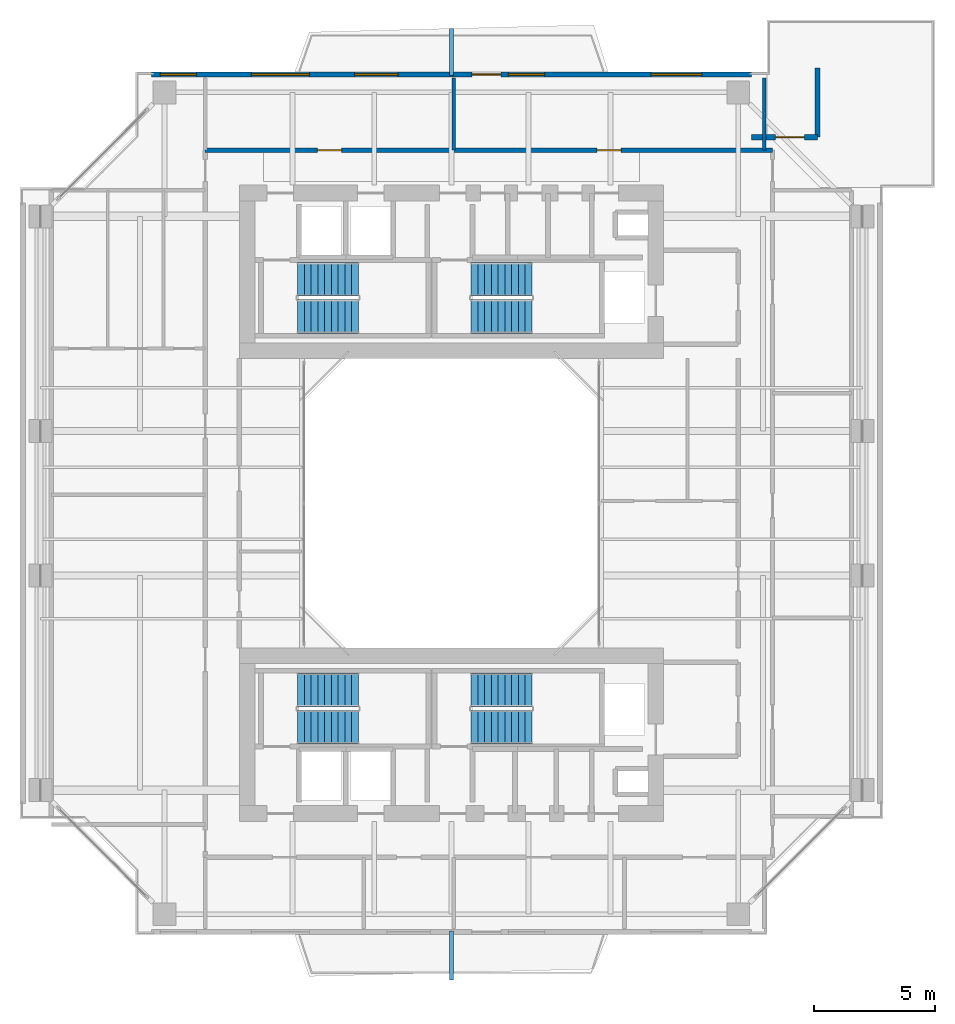
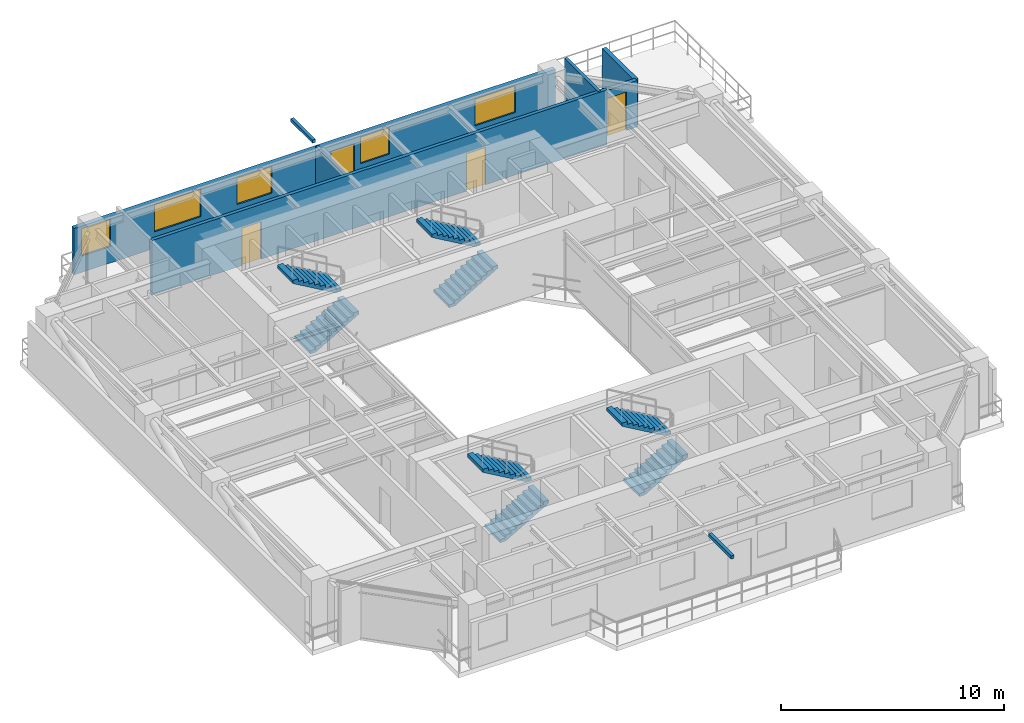
# One storey, part 11 of 14: 8 stair flights, 6 walls, 5 windows, 4 doors, 2 discrete accessories, 9 openings, 4 elements without a shape of their own.
"""IFC4 building model written with IfcOpenShell, lengths in metres."""

from ifc_helpers import new_model, si_unit, direction, frame, frame_2d, origin, origin_2d, place, context, subcontext, project, spatial, polyline, rectangle, outline, extrude, source, transform, mapped, material, layer, layer_set, type_object, element, fill, aggregate, save


model = new_model("IFC4")

# Units and contexts
model_context = context("Model", 3, precision=1e-05, world=origin(), true_north=direction((0.0, 1.0)))
body_context = subcontext(model_context, "Body", "Model", "MODEL_VIEW")
ifc_project = project(units=[si_unit("LENGTHUNIT", "METRE"), si_unit("AREAUNIT", "SQUARE_METRE"), si_unit("VOLUMEUNIT", "CUBIC_METRE"), si_unit("PLANEANGLEUNIT", "RADIAN"), si_unit("MASSUNIT", "GRAM", prefix="KILO"), si_unit("THERMODYNAMICTEMPERATUREUNIT", "KELVIN"), si_unit("POWERUNIT", "WATT")], contexts=[model_context])

# Site, building, storey
site_placement = place(None, origin())
site = spatial("IfcSite", under=ifc_project, at=site_placement, CompositionType="ELEMENT")
building_placement = place(site_placement, origin())
building = spatial("IfcBuilding", under=site, at=building_placement, Name="Qiaomeng Ring Towers", CompositionType="ELEMENT")
storey_placement = place(building_placement, frame((0.0, 0.0, 173.0)))
storey = spatial("IfcBuildingStorey", under=building, at=storey_placement, Name="L50", CompositionType="ELEMENT", Elevation=173.0)

# Wall, openings, windows, door
ifc_material_1 = material(Name="Precast concrete C40", Category="concrete")
ifc_layer_1 = layer(ifc_material_1, 0.219970703125, Name="Precast concrete C40")
ifc_layer_set_1 = layer_set([ifc_layer_1], Name="Precast concrete C40")
wall_type_1 = type_object("IfcWallType", Name="ARC-WL-EW2", PredefinedType="STANDARD", material=ifc_layer_set_1)
wall_1_placement = place(storey_placement, frame((6.550048828125, 40.7900390625, 0.0), z_axis=(0.0, 0.0, 1.0), x_axis=(1.0, 0.0, 0.0)))
wall_1 = element("IfcWall", 1, at=wall_1_placement, inside=storey, type_object=wall_type_1, Name="L50 Tower 1 N Exterior Wall", PredefinedType="STANDARD", context=body_context, shape_type="SweptSolid", body=[
    extrude(rectangle(XDim=24.89990234375, YDim=0.219970703125, at=frame_2d((12.449951171875, 0.0))), origin(), (0.0, 0.0, 1.0), 2.5400390625),
])
opening_1_placement = place(wall_1_placement, frame((13.300048828125, 0.0, 0.0)))
opening_1 = element("IfcOpeningElement", 2, at=opening_1_placement, cuts=wall_1, Name="Opening BD1", PredefinedType="OPENING", context=body_context, shape_type="SweptSolid", body=[
    extrude(rectangle(XDim=1.199951171875, YDim=2.10009765625, at=frame_2d((0.60009765625, 1.050048828125))), frame((0.0, 0.119873046875, 0.0), z_axis=(0.0, -1.0, 0.0), x_axis=(1.0, 0.0, 0.0)), (0.0, 0.0, 1.0), 0.239990234375),
])
opening_2_placement = place(wall_1_placement, frame((0.37255859375, 0.0, 0.89990234375)))
opening_2 = element("IfcOpeningElement", 3, at=opening_2_placement, cuts=wall_1, Name="Opening WN2", PredefinedType="OPENING", context=body_context, shape_type="SweptSolid", body=[
    extrude(rectangle(XDim=1.5, YDim=1.5, at=frame_2d((0.75, 0.75))), frame((0.0, 0.119873046875, 0.0), z_axis=(0.0, -1.0, 0.0), x_axis=(1.0, 0.0, 0.0)), (0.0, 0.0, 1.0), 0.239990234375),
])
opening_3_placement = place(wall_1_placement, frame((8.43798828125, 0.0, 0.89990234375)))
opening_3 = element("IfcOpeningElement", 4, at=opening_3_placement, cuts=wall_1, Name="Opening WN1", PredefinedType="OPENING", context=body_context, shape_type="SweptSolid", body=[
    extrude(rectangle(XDim=1.800048828125, YDim=1.449951171875, at=frame_2d((0.89990234375, 0.72509765625))), frame((0.0, 0.119873046875, 0.0), z_axis=(0.0, -1.0, 0.0), x_axis=(1.0, 0.0, 0.0)), (0.0, 0.0, 1.0), 0.239990234375),
])
opening_4_placement = place(wall_1_placement, frame((14.81298828125, 0.0, 0.89990234375)))
opening_4 = element("IfcOpeningElement", 5, at=opening_4_placement, cuts=wall_1, Name="Opening WN2", PredefinedType="OPENING", context=body_context, shape_type="SweptSolid", body=[
    extrude(rectangle(XDim=1.5, YDim=1.449951171875, at=frame_2d((0.75, 0.72509765625))), frame((0.0, 0.119873046875, 0.0), z_axis=(0.0, -1.0, 0.0), x_axis=(1.0, 0.0, 0.0)), (0.0, 0.0, 1.0), 0.239990234375),
])
opening_5_placement = place(wall_1_placement, frame((20.738037109375, 0.0, 0.89990234375)))
opening_5 = element("IfcOpeningElement", 6, at=opening_5_placement, cuts=wall_1, Name="Opening WN4", PredefinedType="OPENING", context=body_context, shape_type="SweptSolid", body=[
    extrude(rectangle(XDim=2.10009765625, YDim=1.4599609375, at=frame_2d((1.050048828125, 0.72998046875))), frame((0.0, 0.119873046875, 0.0), z_axis=(0.0, -1.0, 0.0), x_axis=(1.0, 0.0, 0.0)), (0.0, 0.0, 1.0), 0.239990234375),
])
opening_6_placement = place(wall_1_placement, frame((4.151611328125, 0.0, 0.89990234375)))
opening_6 = element("IfcOpeningElement", 7, at=opening_6_placement, cuts=wall_1, Name="Opening WN6", PredefinedType="OPENING", context=body_context, shape_type="SweptSolid", body=[
    extrude(rectangle(XDim=2.39990234375, YDim=1.5, at=frame_2d((1.199951171875, 0.75))), frame((0.0, 0.119873046875, 0.0), z_axis=(0.0, -1.0, 0.0), x_axis=(1.0, 0.0, 0.0)), (0.0, 0.0, 1.0), 0.239990234375),
])
ifc_material_2 = material(Name="Low-E dark-grey laminated double glazing", Category="glass")
window_type_1 = type_object("IfcWindowType", Name="ARC-WN-2", PartitioningType="DOUBLE_PANEL_VERTICAL", PredefinedType="WINDOW", material=ifc_material_2)
shared_shape_1 = source(origin(), body_context, "Body", "SweptSolid", [
    extrude(rectangle(XDim=1.5, YDim=1.449951171875, at=frame_2d((0.75, 0.72509765625))), frame((0.0, 0.030029296875, 0.0), z_axis=(0.0, -1.0, 0.0), x_axis=(1.0, 0.0, 0.0)), (0.0, 0.0, 1.0), 0.06005859375),
])
window_1_placement = place(opening_4_placement, origin())
window_1 = element("IfcWindow", 8, at=window_1_placement, inside=storey, type_object=window_type_1, Name="L50 Exterior Window WN2", OverallHeight=1.449951171875, OverallWidth=1.5, PartitioningType="DOUBLE_PANEL_VERTICAL", PredefinedType="WINDOW", context=body_context, shape_type="MappedRepresentation", body=[
    mapped(shared_shape_1, transform((0.0, 0.0, 0.0), x_axis=(1.0, 0.0, 0.0), y_axis=(0.0, 1.0, 0.0), z_axis=(0.0, 0.0, 1.0), scale=1.0)),
])
fill(opening_4, window_1)
window_type_2 = type_object("IfcWindowType", Name="ARC-WN-1", PartitioningType="DOUBLE_PANEL_VERTICAL", PredefinedType="WINDOW", material=ifc_material_2)
shared_shape_2 = source(origin(), body_context, "Body", "SweptSolid", [
    extrude(rectangle(XDim=1.800048828125, YDim=1.449951171875, at=frame_2d((0.89990234375, 0.72509765625))), frame((0.0, 0.030029296875, 0.0), z_axis=(0.0, -1.0, 0.0), x_axis=(1.0, 0.0, 0.0)), (0.0, 0.0, 1.0), 0.06005859375),
])
window_2_placement = place(opening_3_placement, origin())
window_2 = element("IfcWindow", 9, at=window_2_placement, inside=storey, type_object=window_type_2, Name="L50 Exterior Window WN1", OverallHeight=1.449951171875, OverallWidth=1.800048828125, PartitioningType="DOUBLE_PANEL_VERTICAL", PredefinedType="WINDOW", context=body_context, shape_type="MappedRepresentation", body=[
    mapped(shared_shape_2, transform((0.0, 0.0, 0.0), x_axis=(1.0, 0.0, 0.0), y_axis=(0.0, 1.0, 0.0), z_axis=(0.0, 0.0, 1.0), scale=1.0)),
])
fill(opening_3, window_2)
door_type_1 = type_object("IfcDoorType", Name="ARC-DR-BD1", OperationType="NOTDEFINED", PredefinedType="DOOR", material=ifc_material_2)
shared_shape_3 = source(origin(), body_context, "Body", "SweptSolid", [
    extrude(rectangle(XDim=1.199951171875, YDim=2.10009765625, at=frame_2d((0.60009765625, 1.050048828125))), frame((0.0, 0.02490234375, 0.0), z_axis=(0.0, -1.0, 0.0), x_axis=(1.0, 0.0, 0.0)), (0.0, 0.0, 1.0), 0.050048828125),
])
door_1_placement = place(opening_1_placement, origin())
door_1 = element("IfcDoor", 10, at=door_1_placement, inside=storey, type_object=door_type_1, Name="L50 N Balcony Glazed Door", OperationType="SINGLE_SWING_LEFT", OverallHeight=2.10009765625, OverallWidth=1.199951171875, PredefinedType="DOOR", context=body_context, shape_type="MappedRepresentation", body=[
    mapped(shared_shape_3, transform((0.0, 0.0, 0.0), x_axis=(1.0, 0.0, 0.0), y_axis=(0.0, 1.0, 0.0), z_axis=(0.0, 0.0, 1.0), scale=1.0)),
])
fill(opening_1, door_1)
shared_shape_4 = source(origin(), body_context, "Body", "SweptSolid", [
    extrude(rectangle(XDim=1.5, YDim=1.5, at=frame_2d((0.75, 0.75))), frame((0.0, 0.030029296875, 0.0), z_axis=(0.0, -1.0, 0.0), x_axis=(1.0, 0.0, 0.0)), (0.0, 0.0, 1.0), 0.06005859375),
])
window_3_placement = place(opening_2_placement, origin())
window_3 = element("IfcWindow", 11, at=window_3_placement, inside=storey, type_object=window_type_1, Name="L50 Exterior Window WN6", OverallHeight=1.5, OverallWidth=1.5, PartitioningType="TRIPLE_PANEL_VERTICAL", PredefinedType="WINDOW", context=body_context, shape_type="MappedRepresentation", body=[
    mapped(shared_shape_4, transform((0.0, 0.0, 0.0), x_axis=(1.0, 0.0, 0.0), y_axis=(0.0, 1.0, 0.0), z_axis=(0.0, 0.0, 1.0), scale=1.0)),
])
fill(opening_2, window_3)
window_type_3 = type_object("IfcWindowType", Name="ARC-WN-6", PartitioningType="TRIPLE_PANEL_VERTICAL", PredefinedType="WINDOW", material=ifc_material_2)
shared_shape_5 = source(origin(), body_context, "Body", "SweptSolid", [
    extrude(rectangle(XDim=2.39990234375, YDim=1.5, at=frame_2d((1.199951171875, 0.75))), frame((0.0, 0.030029296875, 0.0), z_axis=(0.0, -1.0, 0.0), x_axis=(1.0, 0.0, 0.0)), (0.0, 0.0, 1.0), 0.06005859375),
])
window_4_placement = place(opening_6_placement, origin())
window_4 = element("IfcWindow", 12, at=window_4_placement, inside=storey, type_object=window_type_3, Name="L50 Exterior Window WN6", OverallHeight=1.5, OverallWidth=2.39990234375, PartitioningType="TRIPLE_PANEL_VERTICAL", PredefinedType="WINDOW", context=body_context, shape_type="MappedRepresentation", body=[
    mapped(shared_shape_5, transform((0.0, 0.0, 0.0), x_axis=(1.0, 0.0, 0.0), y_axis=(0.0, 1.0, 0.0), z_axis=(0.0, 0.0, 1.0), scale=1.0)),
])
fill(opening_6, window_4)
window_type_4 = type_object("IfcWindowType", Name="ARC-WN-4", PartitioningType="TRIPLE_PANEL_VERTICAL", PredefinedType="WINDOW", material=ifc_material_2)
shared_shape_6 = source(origin(), body_context, "Body", "SweptSolid", [
    extrude(rectangle(XDim=2.10009765625, YDim=1.4599609375, at=frame_2d((1.050048828125, 0.72998046875))), frame((0.0, 0.030029296875, 0.0), z_axis=(0.0, -1.0, 0.0), x_axis=(1.0, 0.0, 0.0)), (0.0, 0.0, 1.0), 0.06005859375),
])
window_5_placement = place(opening_5_placement, origin())
window_5 = element("IfcWindow", 13, at=window_5_placement, inside=storey, type_object=window_type_4, Name="L50 Exterior Window WN4", OverallHeight=1.4599609375, OverallWidth=2.10009765625, PartitioningType="TRIPLE_PANEL_VERTICAL", PredefinedType="WINDOW", context=body_context, shape_type="MappedRepresentation", body=[
    mapped(shared_shape_6, transform((0.0, 0.0, 0.0), x_axis=(1.0, 0.0, 0.0), y_axis=(0.0, 1.0, 0.0), z_axis=(0.0, 0.0, 1.0), scale=1.0)),
])
fill(opening_5, window_5)

# Wall, opening, door
wall_2_placement = place(storey_placement, frame((31.449951171875, 38.18994140625, 0.0), z_axis=(0.0, 0.0, 1.0), x_axis=(1.0, 0.0, 0.0)))
wall_2 = element("IfcWall", 14, at=wall_2_placement, inside=storey, type_object=wall_type_1, Name="L50 Spiral Terrace Wall NE", PredefinedType="STANDARD", context=body_context, shape_type="SweptSolid", body=[
    extrude(rectangle(XDim=2.739990234375, YDim=0.219970703125, at=frame_2d((1.3701171875, 0.0))), origin(), (0.0, 0.0, 1.0), 2.5400390625),
])
opening_7_placement = place(wall_2_placement, frame((0.989990234375, 0.0, 0.0)))
opening_7 = element("IfcOpeningElement", 15, at=opening_7_placement, cuts=wall_2, Name="Opening BD1", PredefinedType="OPENING", context=body_context, shape_type="SweptSolid", body=[
    extrude(rectangle(XDim=1.199951171875, YDim=2.10009765625, at=frame_2d((0.60009765625, 1.050048828125))), frame((0.0, 0.119873046875, 0.0), z_axis=(0.0, -1.0, 0.0), x_axis=(1.0, 0.0, 0.0)), (0.0, 0.0, 1.0), 0.239990234375),
])
door_2_placement = place(opening_7_placement, frame((1.199951171875, 0.0, 0.0), z_axis=(0.0, 0.0, 1.0), x_axis=(-1.0, 0.0, 0.0)))
door_2 = element("IfcDoor", 16, at=door_2_placement, inside=storey, type_object=door_type_1, Name="L50 Spiral Sky Terrace Door NE", OperationType="SINGLE_SWING_LEFT", OverallHeight=2.10009765625, OverallWidth=1.199951171875, PredefinedType="DOOR", context=body_context, shape_type="MappedRepresentation", body=[
    mapped(shared_shape_3, transform((0.0, 0.0, 0.0), x_axis=(1.0, 0.0, 0.0), y_axis=(0.0, 1.0, 0.0), z_axis=(0.0, 0.0, 1.0), scale=1.0)),
])
fill(opening_7, door_2)

# Wall
wall_3_placement = place(storey_placement, frame((34.18994140625, 38.18994140625, 0.0), z_axis=(0.0, 0.0, 1.0), x_axis=(0.0, 1.0, 0.0)))
element("IfcWall", 17, at=wall_3_placement, inside=storey, type_object=wall_type_1, Name="L50 Spiral Terrace Return Wall NE", PredefinedType="STANDARD", context=body_context, shape_type="SweptSolid", body=[
    extrude(rectangle(XDim=2.860107421875, YDim=0.219970703125, at=frame_2d((1.43017578125, 0.0))), origin(), (0.0, 0.0, 1.0), 2.5400390625),
])

# Wall, openings, doors
ifc_material_3 = material(Name="Autoclaved aerated concrete block", Category="concrete")
ifc_layer_2 = layer(ifc_material_3, 0.179931640625, Name="Autoclaved aerated concrete block")
ifc_layer_set_2 = layer_set([ifc_layer_2], Name="Autoclaved aerated concrete block")
wall_type_2 = type_object("IfcWallType", Name="ARC-WL-PW2", PredefinedType="PARTITIONING", material=ifc_layer_set_2)
wall_4_placement = place(storey_placement, frame((8.780029296875, 37.64990234375, 0.0), z_axis=(0.0, 0.0, 1.0), x_axis=(1.0, 0.0, 0.0)))
wall_4 = element("IfcWall", 18, at=wall_4_placement, inside=storey, type_object=wall_type_2, Name="L50 Interior Wall PW2", PredefinedType="PARTITIONING", context=body_context, shape_type="SweptSolid", body=[
    extrude(rectangle(XDim=23.5400390625, YDim=0.179931640625, at=frame_2d((11.77001953125, 0.0))), origin(), (0.0, 0.0, 1.0), 3.0),
])
opening_8_placement = place(wall_4_placement, frame((4.659912109375, 0.0, 0.0)))
opening_8 = element("IfcOpeningElement", 19, at=opening_8_placement, cuts=wall_4, Name="Opening FD4", PredefinedType="OPENING", context=body_context, shape_type="SweptSolid", body=[
    extrude(rectangle(XDim=1.0, YDim=2.050048828125, at=frame_2d((0.5, 1.02490234375))), frame((0.0, 0.099853515625, 0.0), z_axis=(0.0, -1.0, 0.0), x_axis=(1.0, 0.0, 0.0)), (0.0, 0.0, 1.0), 0.199951171875),
])
opening_9_placement = place(wall_4_placement, frame((16.260009765625, 0.0, 0.0)))
opening_9 = element("IfcOpeningElement", 20, at=opening_9_placement, cuts=wall_4, Name="Opening FD4", PredefinedType="OPENING", context=body_context, shape_type="SweptSolid", body=[
    extrude(rectangle(XDim=1.0, YDim=2.050048828125, at=frame_2d((0.5, 1.02490234375))), frame((0.0, 0.099853515625, 0.0), z_axis=(0.0, -1.0, 0.0), x_axis=(1.0, 0.0, 0.0)), (0.0, 0.0, 1.0), 0.199951171875),
])
ifc_material_4 = material(Name="Engineered fire-rated oak timber", Category="wood")
door_type_2 = type_object("IfcDoorType", Name="ARC-DR-FD4", OperationType="NOTDEFINED", PredefinedType="DOOR", material=ifc_material_4)
shared_shape_7 = source(origin(), body_context, "Body", "SweptSolid", [
    extrude(rectangle(XDim=1.0, YDim=2.050048828125, at=frame_2d((0.5, 1.02490234375))), frame((0.0, 0.02490234375, 0.0), z_axis=(0.0, -1.0, 0.0), x_axis=(1.0, 0.0, 0.0)), (0.0, 0.0, 1.0), 0.050048828125),
])
door_3_placement = place(opening_8_placement, origin())
door_3 = element("IfcDoor", 21, at=door_3_placement, inside=storey, type_object=door_type_2, Name="L50 Door FD4", OperationType="SINGLE_SWING_RIGHT", OverallHeight=2.050048828125, OverallWidth=1.0, PredefinedType="DOOR", context=body_context, shape_type="MappedRepresentation", body=[
    mapped(shared_shape_7, transform((0.0, 0.0, 0.0), x_axis=(1.0, 0.0, 0.0), y_axis=(0.0, 1.0, 0.0), z_axis=(0.0, 0.0, 1.0), scale=1.0)),
])
fill(opening_8, door_3)
door_4_placement = place(opening_9_placement, origin())
door_4 = element("IfcDoor", 22, at=door_4_placement, inside=storey, type_object=door_type_2, Name="L50 Door FD4", OperationType="SINGLE_SWING_LEFT", OverallHeight=2.050048828125, OverallWidth=1.0, PredefinedType="DOOR", context=body_context, shape_type="MappedRepresentation", body=[
    mapped(shared_shape_7, transform((0.0, 0.0, 0.0), x_axis=(1.0, 0.0, 0.0), y_axis=(0.0, 1.0, 0.0), z_axis=(0.0, 0.0, 1.0), scale=1.0)),
])
fill(opening_9, door_4)

# Walls
ifc_material_5 = material(Name="Gypsum fireboard steel-stud partition", Category="steel")
ifc_layer_3 = layer(ifc_material_5, 0.14990234375, Name="Gypsum fireboard steel-stud partition")
ifc_layer_set_3 = layer_set([ifc_layer_3], Name="Gypsum fireboard steel-stud partition")
wall_type_3 = type_object("IfcWallType", Name="ARC-WL-PW3", PredefinedType="PARTITIONING", material=ifc_layer_set_3)
wall_5_placement = place(storey_placement, frame((19.10009765625, 37.64990234375, 0.0), z_axis=(0.0, 0.0, 1.0), x_axis=(0.0, 1.0, 0.0)))
element("IfcWall", 23, at=wall_5_placement, inside=storey, type_object=wall_type_3, Name="L50 Interior Wall PW3", PredefinedType="PARTITIONING", context=body_context, shape_type="SweptSolid", body=[
    extrude(rectangle(XDim=3.0, YDim=0.14990234375, at=frame_2d((1.5, 0.0))), origin(), (0.0, 0.0, 1.0), 2.700927734375),
])
wall_6_placement = place(storey_placement, frame((31.97998046875, 37.64990234375, 0.0), z_axis=(0.0, 0.0, 1.0), x_axis=(0.0, 1.0, 0.0)))
element("IfcWall", 24, at=wall_6_placement, inside=storey, type_object=wall_type_3, Name="L50 Interior Wall PW3", PredefinedType="PARTITIONING", context=body_context, shape_type="SweptSolid", body=[
    extrude(rectangle(XDim=3.0, YDim=0.14990234375, at=frame_2d((1.5, 0.0))), origin(), (0.0, 0.0, 1.0), 3.0),
])

# Stair, stair flights
stair_type = type_object("IfcStairType", Name="ARC-ST-325", PredefinedType="HALF_TURN_STAIR", material=ifc_material_1)
stair_1_placement = place(storey_placement, origin())
stair_1 = element("IfcStair", 25, at=stair_1_placement, inside=storey, type_object=stair_type, Name="L50 Tower 1 North Stair 1", PredefinedType="HALF_TURN_STAIR")
stair_flight_type = type_object("IfcStairFlightType", Name="ARC-ST-325-FL", PredefinedType="STRAIGHT", material=ifc_material_1)
shared_shape_8 = source(origin(), body_context, "Body", "SweptSolid", [
    extrude(outline(polyline([(0.0, 0.0), (0.0, 0.16259765625), (0.280029296875, 0.16259765625), (0.280029296875, 0.324951171875), (0.56005859375, 0.324951171875), (0.56005859375, 0.487548828125), (0.840087890625, 0.487548828125), (0.840087890625, 0.64990234375), (1.1201171875, 0.64990234375), (1.1201171875, 0.8125), (1.39990234375, 0.8125), (1.39990234375, 0.97509765625), (1.679931640625, 0.97509765625), (1.679931640625, 1.137451171875), (1.9599609375, 1.137451171875), (1.9599609375, 1.300048828125), (2.239990234375, 1.300048828125), (2.239990234375, 1.46240234375), (2.52001953125, 1.46240234375), (2.52001953125, 1.625), (2.52001953125, 1.2890625), (0.298583984375, 0.0), (0.0, 0.0)])), frame((0.0, 0.699951171875, 0.0), z_axis=(0.0, -1.0, 0.0), x_axis=(1.0, 0.0, 0.0)), (0.0, 0.0, 1.0), 1.39990234375),
])
stair_flight_1_placement = place(storey_placement, frame((12.6201171875, 30.75, 0.0), z_axis=(0.0, 0.0, 1.0), x_axis=(1.0, 0.0, 0.0)))
stair_flight_1 = element("IfcStairFlight", 26, at=stair_flight_1_placement, type_object=stair_flight_type, Name="ST1 flight 1", NumberOfRisers=10, NumberOfTreads=9, PredefinedType="STRAIGHT", RiserHeight=0.1625, TreadLength=0.28, context=body_context, shape_type="MappedRepresentation", body=[
    mapped(shared_shape_8, transform((0.0, 0.0, 0.0), x_axis=(1.0, 0.0, 0.0), y_axis=(0.0, 1.0, 0.0), z_axis=(0.0, 0.0, 1.0), scale=1.0)),
])
stair_flight_2_placement = place(storey_placement, frame((15.139892578125, 32.2900390625, 1.625), z_axis=(0.0, 0.0, 1.0), x_axis=(-1.0, 0.0, 0.0)))
stair_flight_2 = element("IfcStairFlight", 27, at=stair_flight_2_placement, type_object=stair_flight_type, Name="ST1 flight 2", NumberOfRisers=10, NumberOfTreads=9, PredefinedType="STRAIGHT", RiserHeight=0.1625, TreadLength=0.28, context=body_context, shape_type="MappedRepresentation", body=[
    mapped(shared_shape_8, transform((0.0, 0.0, 0.0), x_axis=(1.0, 0.0, 0.0), y_axis=(0.0, 1.0, 0.0), z_axis=(0.0, 0.0, 1.0), scale=1.0)),
])
aggregate(stair_1, [stair_flight_1, stair_flight_2])

stair_2_placement = place(storey_placement, origin())
stair_2 = element("IfcStair", 28, at=stair_2_placement, inside=storey, type_object=stair_type, Name="L50 Tower 1 North Stair 2", PredefinedType="HALF_TURN_STAIR")
stair_flight_3_placement = place(storey_placement, frame((19.820068359375, 30.75, 0.0), z_axis=(0.0, 0.0, 1.0), x_axis=(1.0, 0.0, 0.0)))
stair_flight_3 = element("IfcStairFlight", 29, at=stair_flight_3_placement, type_object=stair_flight_type, Name="ST2 flight 1", NumberOfRisers=10, NumberOfTreads=9, PredefinedType="STRAIGHT", RiserHeight=0.1625, TreadLength=0.28, context=body_context, shape_type="MappedRepresentation", body=[
    mapped(shared_shape_8, transform((0.0, 0.0, 0.0), x_axis=(1.0, 0.0, 0.0), y_axis=(0.0, 1.0, 0.0), z_axis=(0.0, 0.0, 1.0), scale=1.0)),
])
stair_flight_4_placement = place(storey_placement, frame((22.340087890625, 32.2900390625, 1.625), z_axis=(0.0, 0.0, 1.0), x_axis=(-1.0, 0.0, 0.0)))
stair_flight_4 = element("IfcStairFlight", 30, at=stair_flight_4_placement, type_object=stair_flight_type, Name="ST2 flight 2", NumberOfRisers=10, NumberOfTreads=9, PredefinedType="STRAIGHT", RiserHeight=0.1625, TreadLength=0.28, context=body_context, shape_type="MappedRepresentation", body=[
    mapped(shared_shape_8, transform((0.0, 0.0, 0.0), x_axis=(1.0, 0.0, 0.0), y_axis=(0.0, 1.0, 0.0), z_axis=(0.0, 0.0, 1.0), scale=1.0)),
])
aggregate(stair_2, [stair_flight_3, stair_flight_4])

stair_3_placement = place(storey_placement, origin())
stair_3 = element("IfcStair", 31, at=stair_3_placement, inside=storey, type_object=stair_type, Name="L50 Tower 1 South Stair 3", PredefinedType="HALF_TURN_STAIR")
stair_flight_5_placement = place(storey_placement, frame((12.6201171875, 13.7099609375, 0.0), z_axis=(0.0, 0.0, 1.0), x_axis=(1.0, 0.0, 0.0)))
stair_flight_5 = element("IfcStairFlight", 32, at=stair_flight_5_placement, type_object=stair_flight_type, Name="ST3 flight 1", NumberOfRisers=10, NumberOfTreads=9, PredefinedType="STRAIGHT", RiserHeight=0.1625, TreadLength=0.28, context=body_context, shape_type="MappedRepresentation", body=[
    mapped(shared_shape_8, transform((0.0, 0.0, 0.0), x_axis=(1.0, 0.0, 0.0), y_axis=(0.0, 1.0, 0.0), z_axis=(0.0, 0.0, 1.0), scale=1.0)),
])
stair_flight_6_placement = place(storey_placement, frame((15.139892578125, 15.25, 1.625), z_axis=(0.0, 0.0, 1.0), x_axis=(-1.0, 0.0, 0.0)))
stair_flight_6 = element("IfcStairFlight", 33, at=stair_flight_6_placement, type_object=stair_flight_type, Name="ST3 flight 2", NumberOfRisers=10, NumberOfTreads=9, PredefinedType="STRAIGHT", RiserHeight=0.1625, TreadLength=0.28, context=body_context, shape_type="MappedRepresentation", body=[
    mapped(shared_shape_8, transform((0.0, 0.0, 0.0), x_axis=(1.0, 0.0, 0.0), y_axis=(0.0, 1.0, 0.0), z_axis=(0.0, 0.0, 1.0), scale=1.0)),
])
aggregate(stair_3, [stair_flight_5, stair_flight_6])

stair_4_placement = place(storey_placement, origin())
stair_4 = element("IfcStair", 34, at=stair_4_placement, inside=storey, type_object=stair_type, Name="L50 Tower 1 South Stair 4", PredefinedType="HALF_TURN_STAIR")
stair_flight_7_placement = place(storey_placement, frame((19.820068359375, 13.7099609375, 0.0), z_axis=(0.0, 0.0, 1.0), x_axis=(1.0, 0.0, 0.0)))
stair_flight_7 = element("IfcStairFlight", 35, at=stair_flight_7_placement, type_object=stair_flight_type, Name="ST4 flight 1", NumberOfRisers=10, NumberOfTreads=9, PredefinedType="STRAIGHT", RiserHeight=0.1625, TreadLength=0.28, context=body_context, shape_type="MappedRepresentation", body=[
    mapped(shared_shape_8, transform((0.0, 0.0, 0.0), x_axis=(1.0, 0.0, 0.0), y_axis=(0.0, 1.0, 0.0), z_axis=(0.0, 0.0, 1.0), scale=1.0)),
])
stair_flight_8_placement = place(storey_placement, frame((22.340087890625, 15.25, 1.625), z_axis=(0.0, 0.0, 1.0), x_axis=(-1.0, 0.0, 0.0)))
stair_flight_8 = element("IfcStairFlight", 36, at=stair_flight_8_placement, type_object=stair_flight_type, Name="ST4 flight 2", NumberOfRisers=10, NumberOfTreads=9, PredefinedType="STRAIGHT", RiserHeight=0.1625, TreadLength=0.28, context=body_context, shape_type="MappedRepresentation", body=[
    mapped(shared_shape_8, transform((0.0, 0.0, 0.0), x_axis=(1.0, 0.0, 0.0), y_axis=(0.0, 1.0, 0.0), z_axis=(0.0, 0.0, 1.0), scale=1.0)),
])
aggregate(stair_4, [stair_flight_7, stair_flight_8])

# Discrete accessories
ifc_material_6 = material(Name="Stainless steel 316", Category="steel")
discrete_accessory_type = type_object("IfcDiscreteAccessoryType", Name="ARC-ACC-BRACKET", PredefinedType="BRACKET", material=ifc_material_6)
shared_shape_9 = source(origin(), body_context, "Body", "SweptSolid", [
    extrude(rectangle(XDim=0.159912109375, YDim=2.030029296875, at=origin_2d()), origin(), (0.0, 0.0, 1.0), 0.179931640625),
])
discrete_accessory_1_placement = place(storey_placement, frame((19.0, 4.235107421875, 2.830078125), z_axis=(0.0, 0.0, 1.0), x_axis=(1.0, 0.0, 0.0)))
element("IfcDiscreteAccessory", 37, at=discrete_accessory_1_placement, inside=storey, type_object=discrete_accessory_type, Name="L50 Stainless Outer-Skin Tie Bracket S", PredefinedType="BRACKET", context=body_context, shape_type="MappedRepresentation", body=[
    mapped(shared_shape_9, transform((0.0, 0.0, 0.0), x_axis=(1.0, 0.0, 0.0), y_axis=(0.0, 1.0, 0.0), z_axis=(0.0, 0.0, 1.0), scale=1.0)),
])
shared_shape_10 = source(origin(), body_context, "Body", "SweptSolid", [
    extrude(rectangle(XDim=0.159912109375, YDim=1.949951171875, at=origin_2d()), origin(), (0.0, 0.0, 1.0), 0.179931640625),
])
discrete_accessory_2_placement = place(storey_placement, frame((19.0, 41.72509765625, 2.830078125), z_axis=(0.0, 0.0, 1.0), x_axis=(1.0, 0.0, 0.0)))
element("IfcDiscreteAccessory", 38, at=discrete_accessory_2_placement, inside=storey, type_object=discrete_accessory_type, Name="L50 Stainless Outer-Skin Tie Bracket N", PredefinedType="BRACKET", context=body_context, shape_type="MappedRepresentation", body=[
    mapped(shared_shape_10, transform((0.0, 0.0, 0.0), x_axis=(1.0, 0.0, 0.0), y_axis=(0.0, 1.0, 0.0), z_axis=(0.0, 0.0, 1.0), scale=1.0)),
])

save(model, "model.ifc")
